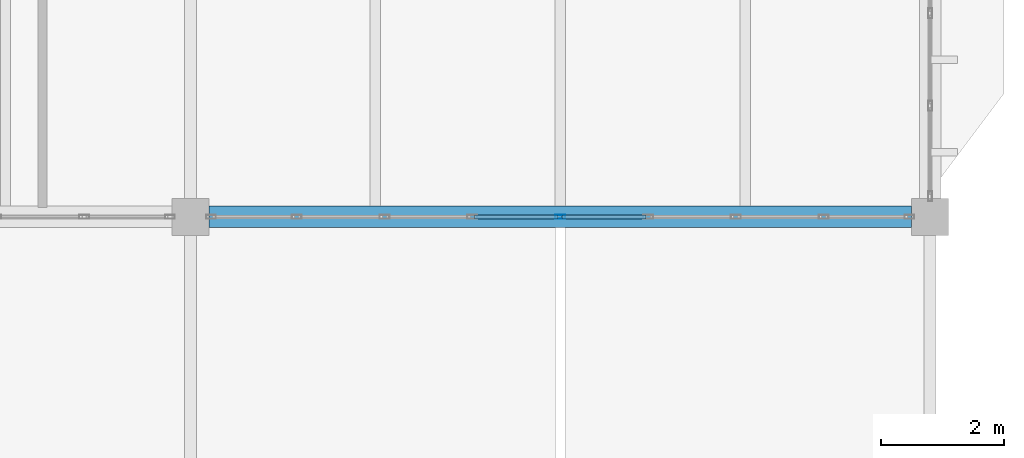
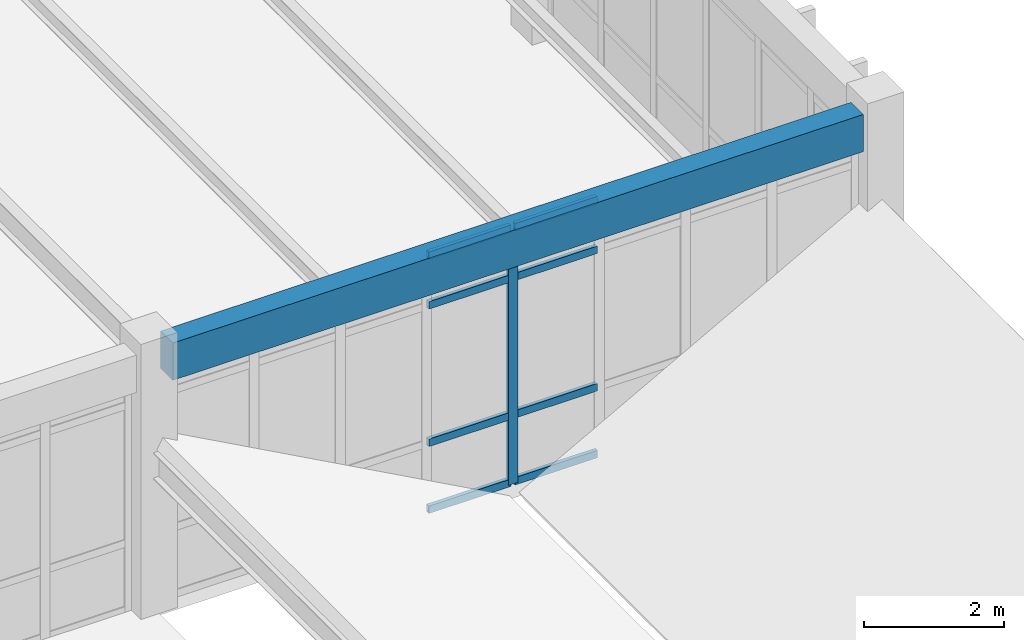
# One storey, part 122 of 236: 9 members, 1 beam, 1 element without a shape of its own.
"""IFC4 building model written with IfcOpenShell, lengths in metres."""

from ifc_helpers import new_model, si_unit, direction, frame, origin, origin_2d, place, context, subcontext, project, spatial, rectangle, hollow_rectangle, extrude, material, layer, layer_set, material_profile, profile_set, type_object, element, aggregate, save


model = new_model("IFC4")

# Units and contexts
model_context = context("Model", 3, precision=1e-05, world=origin(), true_north=direction((0.0, 1.0)))
body_context = subcontext(model_context, "Body", "Model", "MODEL_VIEW")
ifc_project = project(units=[si_unit("LENGTHUNIT", "METRE"), si_unit("AREAUNIT", "SQUARE_METRE"), si_unit("VOLUMEUNIT", "CUBIC_METRE"), si_unit("PLANEANGLEUNIT", "RADIAN"), si_unit("MASSUNIT", "GRAM", prefix="KILO")], contexts=[model_context])

# Site, building, storey
site_placement = place(None, origin())
site = spatial("IfcSite", under=ifc_project, at=site_placement, CompositionType="ELEMENT")
building_placement = place(site_placement, origin())
building = spatial("IfcBuilding", under=site, at=building_placement, Name="Pandanus Reach Market Hall", CompositionType="ELEMENT")
storey_placement = place(building_placement, frame((0.0, 0.0, 5.39990234375)))
storey = spatial("IfcBuildingStorey", under=building, at=storey_placement, Name="L01", CompositionType="ELEMENT", Elevation=5.39990234375)

# Beam
ifc_material_1 = material(Name="Concrete N40 (40 MPa)", Category="concrete")
ifc_material_profile_1 = material_profile(ifc_material_1, rectangle(XDim=0.35009765625, YDim=0.64990234375, at=origin_2d()), Name="RC350x650", Category="LoadBearing")
ifc_profile_set_1 = profile_set([ifc_material_profile_1], Name="Concrete N40 (40 MPa)")
beam_type = type_object("IfcBeamType", Name="BM-RC350-E", PredefinedType="SPANDREL", material=ifc_profile_set_1)
beam_placement = place(storey_placement, frame((168.298095703125, 9.60009765625, 4.215087890625), z_axis=(1.0, 0.0, 0.0), x_axis=(0.0, 1.0, 0.0)))
element("IfcBeam", 1, at=beam_placement, inside=storey, type_object=beam_type, Name="Framing beam BM-RC350-E L01.308", PredefinedType="SPANDREL", context=body_context, shape_type="SweptSolid", body=[
    extrude(rectangle(XDim=0.35009765625, YDim=0.64990234375, at=origin_2d()), origin(), (0.0, 0.0, 1.0), 11.40380859375),
])

# Curtain wall, members
ifc_material_2 = material(Name="Bronze anodised aluminium and low-E glass", Category="aluminium")
ifc_layer = layer(ifc_material_2, 0.159912109375, Name="CW-27")
ifc_layer_set = layer_set([ifc_layer], Name="Bronze anodised aluminium and low-E glass")
curtain_wall_type = type_object("IfcCurtainWallType", Name="CW-27", PredefinedType="NOTDEFINED", material=ifc_layer_set)
curtain_wall_placement = place(storey_placement, origin())
curtain_wall = element("IfcCurtainWall", 2, at=curtain_wall_placement, inside=storey, type_object=curtain_wall_type, Name="Glazed curtain wall CW-27 CW-0084", PredefinedType="NOTDEFINED")
ifc_material_3 = material(Name="Bronze anodised aluminium", Category="aluminium")
ifc_material_profile_2 = material_profile(ifc_material_3, hollow_rectangle(XDim=0.06494140625, YDim=0.159912109375, WallThickness=0.00390625, at=origin_2d()), Name="ALU65x160", Category="LoadBearing")
ifc_profile_set_2 = profile_set([ifc_material_profile_2], Name="Bronze anodised aluminium")
member_type_1 = type_object("IfcMemberType", Name="CW-M1", PredefinedType="MULLION", material=ifc_profile_set_2)
member_1_placement = place(storey_placement, frame((174.0, 9.60009765625, 0.0), z_axis=(0.0, 0.0, 1.0), x_axis=(0.0, 1.0, 0.0)))
member_1 = element("IfcMember", 3, at=member_1_placement, type_object=member_type_1, Name="CW-27 mullion 5", PredefinedType="MULLION", context=body_context, shape_type="SweptSolid", body=[
    extrude(hollow_rectangle(XDim=0.06494140625, YDim=0.159912109375, WallThickness=0.00390625, at=origin_2d()), origin(), (0.0, 0.0, 1.0), 4.5),
])
ifc_material_profile_3 = material_profile(ifc_material_3, hollow_rectangle(XDim=0.06494140625, YDim=0.1298828125, WallThickness=0.00390625, at=origin_2d()), Name="ALU65x130", Category="LoadBearing")
ifc_profile_set_3 = profile_set([ifc_material_profile_3], Name="Bronze anodised aluminium")
member_type_2 = type_object("IfcMemberType", Name="CW-T1", PredefinedType="USERDEFINED", material=ifc_profile_set_3)
member_2_placement = place(storey_placement, frame((172.607421875, 9.60009765625, 0.03271484375), z_axis=(1.0, 0.0, 0.0), x_axis=(0.0, 1.0, 0.0)))
member_2 = element("IfcMember", 4, at=member_2_placement, type_object=member_type_2, Name="CW-27 transom 4.1", ObjectType="TRANSOM", PredefinedType="USERDEFINED", context=body_context, shape_type="SweptSolid", body=[
    extrude(hollow_rectangle(XDim=0.06494140625, YDim=0.1298828125, WallThickness=0.00390625, at=origin_2d()), origin(), (0.0, 0.0, 1.0), 1.360107421875),
])
member_3_placement = place(storey_placement, frame((172.607421875, 9.60009765625, 1.2001953125), z_axis=(1.0, 0.0, 0.0), x_axis=(0.0, 1.0, 0.0)))
member_3 = element("IfcMember", 5, at=member_3_placement, type_object=member_type_2, Name="CW-27 transom 4.2", ObjectType="TRANSOM", PredefinedType="USERDEFINED", context=body_context, shape_type="SweptSolid", body=[
    extrude(hollow_rectangle(XDim=0.06494140625, YDim=0.1298828125, WallThickness=0.00390625, at=origin_2d()), origin(), (0.0, 0.0, 1.0), 1.360107421875),
])
member_4_placement = place(storey_placement, frame((172.607421875, 9.60009765625, 3.60009765625), z_axis=(1.0, 0.0, 0.0), x_axis=(0.0, 1.0, 0.0)))
member_4 = element("IfcMember", 6, at=member_4_placement, type_object=member_type_2, Name="CW-27 transom 4.3", ObjectType="TRANSOM", PredefinedType="USERDEFINED", context=body_context, shape_type="SweptSolid", body=[
    extrude(hollow_rectangle(XDim=0.06494140625, YDim=0.1298828125, WallThickness=0.00390625, at=origin_2d()), origin(), (0.0, 0.0, 1.0), 1.360107421875),
])
member_5_placement = place(storey_placement, frame((172.607421875, 9.60009765625, 4.467529296875), z_axis=(1.0, 0.0, 0.0), x_axis=(0.0, 1.0, 0.0)))
member_5 = element("IfcMember", 7, at=member_5_placement, type_object=member_type_2, Name="CW-27 transom 4.4", ObjectType="TRANSOM", PredefinedType="USERDEFINED", context=body_context, shape_type="SweptSolid", body=[
    extrude(hollow_rectangle(XDim=0.06494140625, YDim=0.1298828125, WallThickness=0.00390625, at=origin_2d()), origin(), (0.0, 0.0, 1.0), 1.360107421875),
])
member_6_placement = place(storey_placement, frame((174.032470703125, 9.60009765625, 0.03271484375), z_axis=(1.0, 0.0, 0.0), x_axis=(0.0, 1.0, 0.0)))
member_6 = element("IfcMember", 8, at=member_6_placement, type_object=member_type_2, Name="CW-27 transom 5.1", ObjectType="TRANSOM", PredefinedType="USERDEFINED", context=body_context, shape_type="SweptSolid", body=[
    extrude(hollow_rectangle(XDim=0.06494140625, YDim=0.1298828125, WallThickness=0.00390625, at=origin_2d()), origin(), (0.0, 0.0, 1.0), 1.360107421875),
])
member_7_placement = place(storey_placement, frame((174.032470703125, 9.60009765625, 1.2001953125), z_axis=(1.0, 0.0, 0.0), x_axis=(0.0, 1.0, 0.0)))
member_7 = element("IfcMember", 9, at=member_7_placement, type_object=member_type_2, Name="CW-27 transom 5.2", ObjectType="TRANSOM", PredefinedType="USERDEFINED", context=body_context, shape_type="SweptSolid", body=[
    extrude(hollow_rectangle(XDim=0.06494140625, YDim=0.1298828125, WallThickness=0.00390625, at=origin_2d()), origin(), (0.0, 0.0, 1.0), 1.360107421875),
])
member_8_placement = place(storey_placement, frame((174.032470703125, 9.60009765625, 3.60009765625), z_axis=(1.0, 0.0, 0.0), x_axis=(0.0, 1.0, 0.0)))
member_8 = element("IfcMember", 10, at=member_8_placement, type_object=member_type_2, Name="CW-27 transom 5.3", ObjectType="TRANSOM", PredefinedType="USERDEFINED", context=body_context, shape_type="SweptSolid", body=[
    extrude(hollow_rectangle(XDim=0.06494140625, YDim=0.1298828125, WallThickness=0.00390625, at=origin_2d()), origin(), (0.0, 0.0, 1.0), 1.360107421875),
])
member_9_placement = place(storey_placement, frame((174.032470703125, 9.60009765625, 4.467529296875), z_axis=(1.0, 0.0, 0.0), x_axis=(0.0, 1.0, 0.0)))
member_9 = element("IfcMember", 11, at=member_9_placement, type_object=member_type_2, Name="CW-27 transom 5.4", ObjectType="TRANSOM", PredefinedType="USERDEFINED", context=body_context, shape_type="SweptSolid", body=[
    extrude(hollow_rectangle(XDim=0.06494140625, YDim=0.1298828125, WallThickness=0.00390625, at=origin_2d()), origin(), (0.0, 0.0, 1.0), 1.360107421875),
])
aggregate(curtain_wall, [member_1, member_2, member_3, member_4, member_5, member_6, member_7, member_8, member_9])

save(model, "model.ifc")
